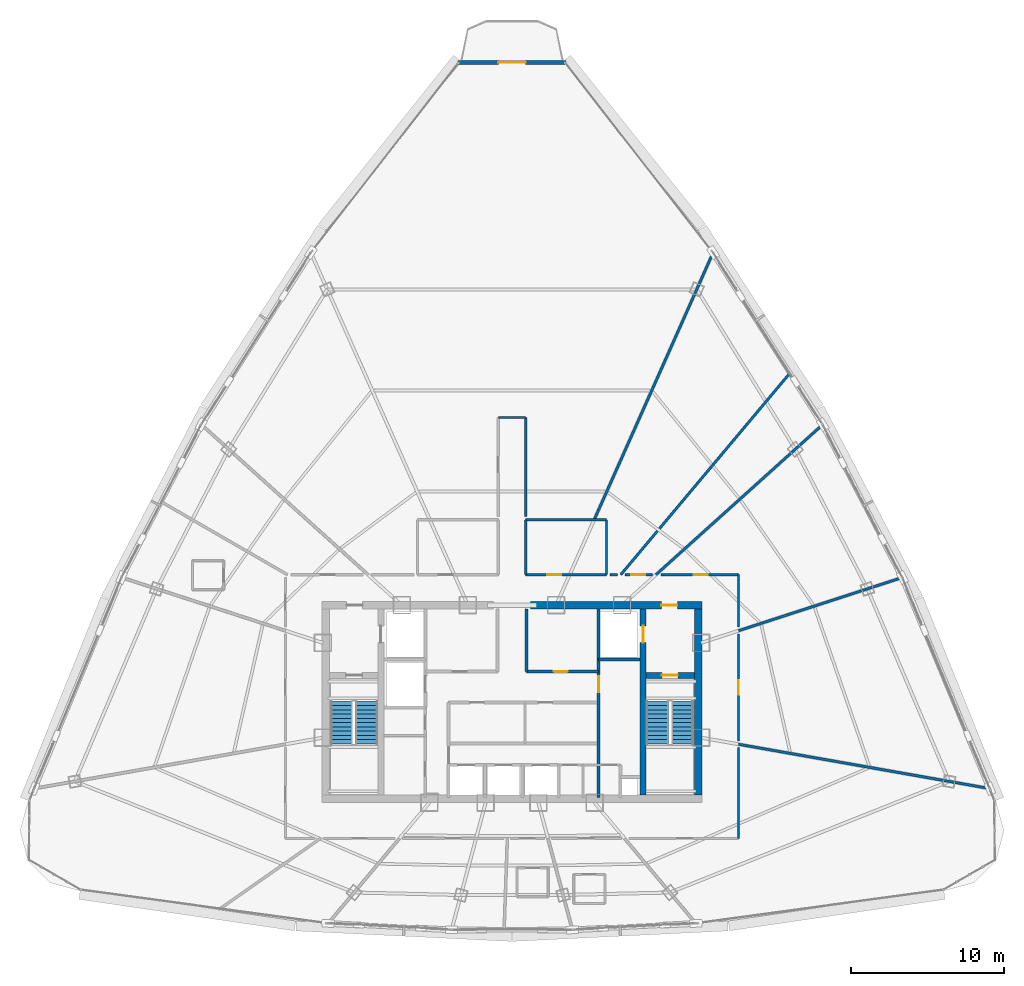
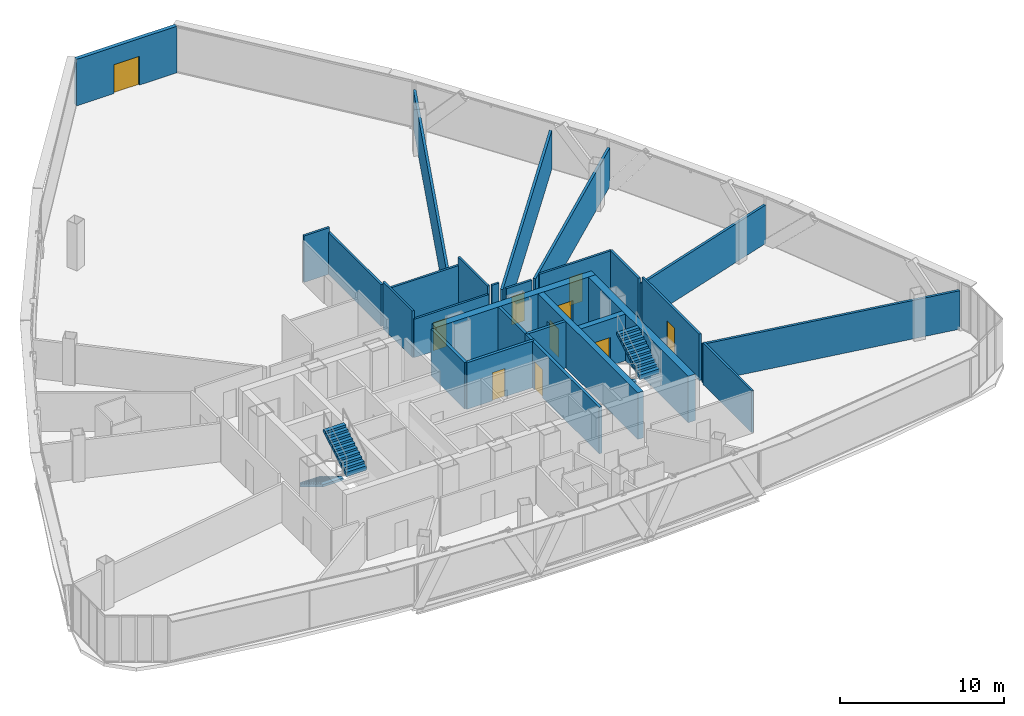
# One storey, part 36 of 40: 27 walls, 10 doors, 4 stair flights, 10 openings, 2 elements without a shape of their own.
"""IFC4 building model written with IfcOpenShell, lengths in metres."""

from ifc_helpers import new_model, si_unit, direction, frame, frame_2d, origin, origin_with_axes, place, context, subcontext, project, spatial, polyline, rectangle, outline, extrude, source, transform, mapped, material, layer, layer_set, type_object, element, fill, aggregate, save


model = new_model("IFC4")

# Units and contexts
model_context = context("Model", 3, precision=1e-05, world=origin(), true_north=direction((0.0, 1.0)))
body_context = subcontext(model_context, "Body", "Model", "MODEL_VIEW")
ifc_project = project(units=[si_unit("LENGTHUNIT", "METRE"), si_unit("AREAUNIT", "SQUARE_METRE"), si_unit("VOLUMEUNIT", "CUBIC_METRE"), si_unit("PLANEANGLEUNIT", "RADIAN"), si_unit("MASSUNIT", "GRAM", prefix="KILO"), si_unit("THERMODYNAMICTEMPERATUREUNIT", "KELVIN"), si_unit("POWERUNIT", "WATT")], contexts=[model_context])

# Site, building, storey
site_placement = place(None, origin())
site = spatial("IfcSite", under=ifc_project, at=site_placement, CompositionType="ELEMENT")
building_placement = place(site_placement, origin())
building = spatial("IfcBuilding", under=site, at=building_placement, Name="Yunzhuo Pagoda Commons", CompositionType="ELEMENT")
storey_placement = place(building_placement, frame((0.0, 0.0, 288.75)))
storey = spatial("IfcBuildingStorey", under=building, at=storey_placement, Name="L72", CompositionType="ELEMENT", Elevation=288.75)

# Wall, opening, door
ifc_material_1 = material(Name="Precast concrete C40", Category="concrete")
ifc_layer_1 = layer(ifc_material_1, 0.260009765625)
ifc_layer_set_1 = layer_set([ifc_layer_1], Name="Precast concrete C40")
wall_type_1 = type_object("IfcWallType", Name="W-BAL1 Corner Balcony Threshold Wall 260", PredefinedType="STANDARD", material=ifc_layer_set_1)
wall_1_placement = place(storey_placement, frame((51.534912109375, 75.790283203125, 0.0), z_axis=(0.0, 0.0, 1.0), x_axis=(-1.0, 0.0, 0.0)))
wall_1 = element("IfcWall", 1, at=wall_1_placement, inside=storey, type_object=wall_type_1, Name="L72 corner balcony wall V3", PredefinedType="STANDARD", context=body_context, shape_type="SweptSolid", body=[
    extrude(rectangle(XDim=7.06982421875, YDim=0.260009765625, at=frame_2d((3.534912109375, 0.0))), origin(), (0.0, 0.0, 1.0), 3.469970703125),
])
opening_1_placement = place(wall_1_placement, frame((2.635009765625, 0.0, 0.0)))
opening_1 = element("IfcOpeningElement", 2, at=opening_1_placement, cuts=wall_1, Name="Opening D-BAL1", PredefinedType="OPENING", context=body_context, shape_type="SweptSolid", body=[
    extrude(rectangle(XDim=1.800048828125, YDim=2.14990234375, at=frame_2d((0.89990234375, 1.074951171875))), frame((0.0, 0.14013671875, 0.0), z_axis=(0.0, -1.0, 0.0), x_axis=(1.0, 0.0, 0.0)), (0.0, 0.0, 1.0), 0.280029296875),
])
ifc_material_2 = material(Name="Anodized aluminium frame and tempered glazed leaf", Category="aluminium")
door_type_1 = type_object("IfcDoorType", Name="D-BAL1 Corner Balcony Sliding Glazed Door 1800x2150", OperationType="DOUBLE_DOOR_SLIDING", PredefinedType="DOOR", material=ifc_material_2)
shared_shape_1 = source(origin(), body_context, "Body", "SweptSolid", [
    extrude(rectangle(XDim=1.800048828125, YDim=2.14990234375, at=frame_2d((0.89990234375, 1.074951171875))), frame((0.0, 0.02490234375, 0.0), z_axis=(0.0, -1.0, 0.0), x_axis=(1.0, 0.0, 0.0)), (0.0, 0.0, 1.0), 0.050048828125),
])
door_1_placement = place(opening_1_placement, origin_with_axes())
door_1 = element("IfcDoor", 3, at=door_1_placement, inside=storey, type_object=door_type_1, Name="L72 corner balcony sliding door V3", OperationType="DOUBLE_DOOR_SLIDING", OverallHeight=2.14990234375, OverallWidth=1.800048828125, PredefinedType="DOOR", context=body_context, shape_type="MappedRepresentation", body=[
    mapped(shared_shape_1, transform((0.0, 0.0, 0.0), scale=1.0)),
])
fill(opening_1, door_1)

ifc_material_3 = material(Name="Concrete C50", Category="concrete")
ifc_layer_2 = layer(ifc_material_3, 0.5)
ifc_layer_set_2 = layer_set([ifc_layer_2], Name="Concrete C50")
wall_type_2 = type_object("IfcWallType", Name="W-C03 Upper Core Shear Wall 500", PredefinedType="SHEAR", material=ifc_layer_set_2)
wall_2_placement = place(storey_placement, frame((49.199951171875, 40.199951171875, 0.0), z_axis=(0.0, 0.0, 1.0), x_axis=(1.0, 0.0, 0.0)))
wall_2 = element("IfcWall", 4, at=wall_2_placement, inside=storey, type_object=wall_type_2, Name="L72 core shear wall NE", PredefinedType="SHEAR", context=body_context, shape_type="SweptSolid", body=[
    extrude(rectangle(XDim=11.25, YDim=0.5, at=frame_2d((5.625, 0.0))), origin(), (0.0, 0.0, 1.0), 3.469970703125),
])
opening_2_placement = place(wall_2_placement, frame((8.60009765625, 0.0, 0.0)))
opening_2 = element("IfcOpeningElement", 5, at=opening_2_placement, cuts=wall_2, Name="Opening D-02", PredefinedType="OPENING", context=body_context, shape_type="SweptSolid", body=[
    extrude(rectangle(XDim=1.050048828125, YDim=2.10009765625, at=frame_2d((0.52490234375, 1.050048828125))), frame((0.0, 0.260009765625, 0.0), z_axis=(0.0, -1.0, 0.0), x_axis=(1.0, 0.0, 0.0)), (0.0, 0.0, 1.0), 0.52001953125),
])
ifc_material_4 = material(Name="Galvanized fire-resisting metal leaf")
door_type_2 = type_object("IfcDoorType", Name="D-02 Firefighting Lobby & Refuge Fire Door 1050x2100", OperationType="NOTDEFINED", PredefinedType="DOOR", material=ifc_material_4)
shared_shape_2 = source(origin(), body_context, "Body", "SweptSolid", [
    extrude(rectangle(XDim=1.050048828125, YDim=2.10009765625, at=frame_2d((0.52490234375, 1.050048828125))), frame((0.0, 0.02490234375, 0.0), z_axis=(0.0, -1.0, 0.0), x_axis=(1.0, 0.0, 0.0)), (0.0, 0.0, 1.0), 0.050048828125),
])
door_2_placement = place(opening_2_placement, frame((1.050048828125, 0.0, 0.0), z_axis=(0.0, 0.0, 1.0), x_axis=(-1.0, 0.0, 0.0)))
door_2 = element("IfcDoor", 6, at=door_2_placement, inside=storey, type_object=door_type_2, Name="L72 Firefighting Lobby 2 fire door", OperationType="SINGLE_SWING_RIGHT", OverallHeight=2.10009765625, OverallWidth=1.050048828125, PredefinedType="DOOR", context=body_context, shape_type="MappedRepresentation", body=[
    mapped(shared_shape_2, transform((0.0, 0.0, 0.0), scale=1.0)),
])
fill(opening_2, door_2)

# Wall
wall_3_placement = place(storey_placement, frame((60.199951171875, 27.75, 0.0), z_axis=(0.0, 0.0, 1.0), x_axis=(0.0, 1.0, 0.0)))
element("IfcWall", 7, at=wall_3_placement, inside=storey, type_object=wall_type_2, Name="L72 core shear wall E", PredefinedType="SHEAR", context=body_context, shape_type="SweptSolid", body=[
    extrude(rectangle(XDim=12.199951171875, YDim=0.5, at=frame_2d((6.10009765625, 0.0))), origin(), (0.0, 0.0, 1.0), 3.469970703125),
])

# Wall, opening, door
ifc_material_5 = material(Name="Gypsum plasterboard on acoustic stud")
ifc_layer_3 = layer(ifc_material_5, 0.14990234375)
ifc_layer_set_3 = layer_set([ifc_layer_3], Name="Gypsum plasterboard on acoustic stud")
wall_type_3 = type_object("IfcWallType", Name="W-COR3 High-Zone Rated Corridor Wall 150", PredefinedType="PARTITIONING", material=ifc_layer_set_3)
wall_4_placement = place(storey_placement, frame((48.89990234375, 42.199951171875, 0.0), z_axis=(0.0, 0.0, 1.0), x_axis=(1.0, 0.0, 0.0)))
wall_4 = element("IfcWall", 8, at=wall_4_placement, inside=storey, type_object=wall_type_3, Name="L72 interior wall IW-L72-TFES", PredefinedType="PARTITIONING", context=body_context, shape_type="SweptSolid", body=[
    extrude(rectangle(XDim=5.300048828125, YDim=0.14990234375, at=frame_2d((2.64990234375, 0.0))), origin(), (0.0, 0.0, 1.0), 2.8701171875),
])
opening_3_placement = place(wall_4_placement, frame((1.39990234375, 0.0, 0.0)))
opening_3 = element("IfcOpeningElement", 9, at=opening_3_placement, cuts=wall_4, Name="Opening D-11", PredefinedType="OPENING", context=body_context, shape_type="SweptSolid", body=[
    extrude(rectangle(XDim=0.93994140625, YDim=2.10009765625, at=frame_2d((0.469970703125, 1.050048828125))), frame((0.0, 0.0849609375, 0.0), z_axis=(0.0, -1.0, 0.0), x_axis=(1.0, 0.0, 0.0)), (0.0, 0.0, 1.0), 0.169921875),
])
door_type_3 = type_object("IfcDoorType", Name="D-11 Accessible Washroom Fire Door 940x2100", OperationType="NOTDEFINED", PredefinedType="DOOR", material=ifc_material_4)
shared_shape_3 = source(origin(), body_context, "Body", "SweptSolid", [
    extrude(rectangle(XDim=0.93994140625, YDim=2.10009765625, at=frame_2d((0.469970703125, 1.050048828125))), frame((0.0, 0.02490234375, 0.0), z_axis=(0.0, -1.0, 0.0), x_axis=(1.0, 0.0, 0.0)), (0.0, 0.0, 1.0), 0.050048828125),
])
door_3_placement = place(opening_3_placement, frame((0.93994140625, 0.0, 0.0), z_axis=(0.0, 0.0, 1.0), x_axis=(-1.0, 0.0, 0.0)))
door_3 = element("IfcDoor", 10, at=door_3_placement, inside=storey, type_object=door_type_3, Name="L72 accessible WC door", OperationType="SINGLE_SWING_RIGHT", OverallHeight=2.10009765625, OverallWidth=0.93994140625, PredefinedType="DOOR", context=body_context, shape_type="MappedRepresentation", body=[
    mapped(shared_shape_3, transform((0.0, 0.0, 0.0), scale=1.0)),
])
fill(opening_3, door_3)

# Walls
wall_5_placement = place(storey_placement, frame((48.89990234375, 45.800048828125, 0.0), z_axis=(0.0, 0.0, 1.0), x_axis=(1.0, 0.0, 0.0)))
element("IfcWall", 11, at=wall_5_placement, inside=storey, type_object=wall_type_3, Name="L72 interior wall IW-L72-TFEN", PredefinedType="PARTITIONING", context=body_context, shape_type="SweptSolid", body=[
    extrude(rectangle(XDim=5.300048828125, YDim=0.14990234375, at=frame_2d((2.64990234375, 0.0))), origin(), (0.0, 0.0, 1.0), 2.8701171875),
])
for number, where, z_axis, x_axis, name in (
    (12, (48.89990234375, 42.199951171875, 0.0), (0.0, 0.0, 1.0), (0.0, 1.0, 0.0), "L72 interior wall IW-L72-TFEW"),
    (13, (54.199951171875, 42.199951171875, 0.0), (0.0, 0.0, 1.0), (0.0, 1.0, 0.0), "L72 interior wall IW-L72-TFEE"),
):
    element("IfcWall", number, at=place(storey_placement, frame(where, z_axis=z_axis, x_axis=x_axis)), inside=storey, type_object=wall_type_3, Name=name, PredefinedType="PARTITIONING", context=body_context, shape_type="SweptSolid", body=[
        extrude(rectangle(XDim=3.60009765625, YDim=0.14990234375, at=frame_2d((1.800048828125, 0.0))), origin(), (0.0, 0.0, 1.0), 3.469970703125),
    ])
wall_6_placement = place(storey_placement, frame((47.10009765625, 52.5, 0.0), z_axis=(0.0, 0.0, 1.0), x_axis=(1.0, 0.0, 0.0)))
element("IfcWall", 14, at=wall_6_placement, inside=storey, type_object=wall_type_3, Name="L72 interior wall IW-L72-CWL07", PredefinedType="PARTITIONING", context=body_context, shape_type="SweptSolid", body=[
    extrude(rectangle(XDim=1.7998046875, YDim=0.14990234375, at=frame_2d((0.89990234375, 0.0))), origin(), (0.0, 0.0, 1.0), 3.469970703125),
])
wall_7_placement = place(storey_placement, frame((48.89990234375, 52.5, 0.0), z_axis=(0.0, 0.0, 1.0), x_axis=(0.0, -1.0, 0.0)))
element("IfcWall", 15, at=wall_7_placement, inside=storey, type_object=wall_type_3, Name="L72 interior wall IW-L72-CWL08", PredefinedType="PARTITIONING", context=body_context, shape_type="SweptSolid", body=[
    extrude(rectangle(XDim=6.47998046875, YDim=0.14990234375, at=frame_2d((3.239990234375, 0.0))), origin(), (0.0, 0.0, 1.0), 3.1201171875),
])
wall_8_placement = place(storey_placement, frame((54.419921875, 42.199951171875, 0.0), z_axis=(0.0, 0.0, 1.0), x_axis=(1.0, 0.0, 0.0)))
element("IfcWall", 16, at=wall_8_placement, inside=storey, type_object=wall_type_3, Name="L72 interior wall IW-L72-CWL09", PredefinedType="PARTITIONING", context=body_context, shape_type="SweptSolid", body=[
    extrude(rectangle(XDim=0.492431640625, YDim=0.14990234375, at=frame_2d((0.24609375, 0.0))), origin(), (0.0, 0.0, 1.0), 3.469970703125),
])

# Wall, opening, door
wall_9_placement = place(storey_placement, frame((55.41943359375, 42.199951171875, 0.0), z_axis=(0.0, 0.0, 1.0), x_axis=(1.0, 0.0, 0.0)))
wall_9 = element("IfcWall", 17, at=wall_9_placement, inside=storey, type_object=wall_type_3, Name="L72 interior wall IW-L72-CWL10", PredefinedType="PARTITIONING", context=body_context, shape_type="SweptSolid", body=[
    extrude(rectangle(XDim=1.801025390625, YDim=0.14990234375, at=frame_2d((0.900390625, 0.0))), origin(), (0.0, 0.0, 1.0), 2.8701171875),
])
opening_4_placement = place(wall_9_placement, frame((0.40673828125, 0.0, 0.0)))
opening_4 = element("IfcOpeningElement", 18, at=opening_4_placement, cuts=wall_9, Name="Opening D-04", PredefinedType="OPENING", context=body_context, shape_type="SweptSolid", body=[
    extrude(rectangle(XDim=0.919921875, YDim=2.10009765625, at=frame_2d((0.4599609375, 1.050048828125))), frame((0.0, 0.0849609375, 0.0), z_axis=(0.0, -1.0, 0.0), x_axis=(1.0, 0.0, 0.0)), (0.0, 0.0, 1.0), 0.169921875),
])
ifc_material_6 = material(Name="Powder-coated aluminium and timber acoustic leaf", Category="wood")
door_type_4 = type_object("IfcDoorType", Name="D-04 Bedroom & Study Interior Door 920x2100", OperationType="NOTDEFINED", PredefinedType="DOOR", material=ifc_material_6)
shared_shape_4 = source(origin(), body_context, "Body", "SweptSolid", [
    extrude(rectangle(XDim=0.919921875, YDim=2.10009765625, at=frame_2d((0.4599609375, 1.050048828125))), frame((0.0, 0.02490234375, 0.0), z_axis=(0.0, -1.0, 0.0), x_axis=(1.0, 0.0, 0.0)), (0.0, 0.0, 1.0), 0.050048828125),
])
door_4_placement = place(opening_4_placement, origin_with_axes())
door_4 = element("IfcDoor", 19, at=door_4_placement, inside=storey, type_object=door_type_4, Name="L72 seminar room 03 door", OperationType="SINGLE_SWING_RIGHT", OverallHeight=2.10009765625, OverallWidth=0.919921875, PredefinedType="DOOR", context=body_context, shape_type="MappedRepresentation", body=[
    mapped(shared_shape_4, transform((0.0, 0.0, 0.0), scale=1.0)),
])
fill(opening_4, door_4)

wall_10_placement = place(storey_placement, frame((57.76904296875, 42.199951171875, 0.0), z_axis=(0.0, 0.0, 1.0), x_axis=(1.0, 0.0, 0.0)))
wall_10 = element("IfcWall", 20, at=wall_10_placement, inside=storey, type_object=wall_type_3, Name="L72 interior wall IW-L72-CWL11", PredefinedType="PARTITIONING", context=body_context, shape_type="SweptSolid", body=[
    extrude(rectangle(XDim=5.0810546875, YDim=0.14990234375, at=frame_2d((2.54052734375, 0.0))), origin(), (0.0, 0.0, 1.0), 3.1201171875),
])
opening_5_placement = place(wall_10_placement, frame((2.14599609375, 0.0, 0.0)))
opening_5 = element("IfcOpeningElement", 21, at=opening_5_placement, cuts=wall_10, Name="Opening D-04", PredefinedType="OPENING", context=body_context, shape_type="SweptSolid", body=[
    extrude(rectangle(XDim=0.919921875, YDim=2.10009765625, at=frame_2d((0.4599609375, 1.050048828125))), frame((0.0, 0.0849609375, 0.0), z_axis=(0.0, -1.0, 0.0), x_axis=(1.0, 0.0, 0.0)), (0.0, 0.0, 1.0), 0.169921875),
])
door_5_placement = place(opening_5_placement, origin_with_axes())
door_5 = element("IfcDoor", 22, at=door_5_placement, inside=storey, type_object=door_type_4, Name="L72 seminar room 02 door", OperationType="SINGLE_SWING_LEFT", OverallHeight=2.10009765625, OverallWidth=0.919921875, PredefinedType="DOOR", context=body_context, shape_type="MappedRepresentation", body=[
    mapped(shared_shape_4, transform((0.0, 0.0, 0.0), scale=1.0)),
])
fill(opening_5, door_5)

# Wall
wall_11_placement = place(storey_placement, frame((62.85009765625, 42.199951171875, 0.0), z_axis=(0.0, 0.0, 1.0), x_axis=(0.0, -1.0, 0.0)))
element("IfcWall", 23, at=wall_11_placement, inside=storey, type_object=wall_type_3, Name="L72 interior wall IW-L72-CWL12", PredefinedType="PARTITIONING", context=body_context, shape_type="SweptSolid", body=[
    extrude(rectangle(XDim=3.443603515625, YDim=0.14990234375, at=frame_2d((1.7216796875, 0.0))), origin(), (0.0, 0.0, 1.0), 3.1201171875),
])

# Wall, opening, door
wall_12_placement = place(storey_placement, frame((62.85009765625, 38.305419921875, 0.0), z_axis=(0.0, 0.0, 1.0), x_axis=(0.0, -1.0, 0.0)))
wall_12 = element("IfcWall", 24, at=wall_12_placement, inside=storey, type_object=wall_type_3, Name="L72 interior wall IW-L72-CWL13", PredefinedType="PARTITIONING", context=body_context, shape_type="SweptSolid", body=[
    extrude(rectangle(XDim=7.004150390625, YDim=0.14990234375, at=frame_2d((3.501953125, 0.0))), origin(), (0.0, 0.0, 1.0), 3.469970703125),
])
opening_6_placement = place(wall_12_placement, frame((3.0419921875, 0.0, 0.0)))
opening_6 = element("IfcOpeningElement", 25, at=opening_6_placement, cuts=wall_12, Name="Opening D-04", PredefinedType="OPENING", context=body_context, shape_type="SweptSolid", body=[
    extrude(rectangle(XDim=0.919921875, YDim=2.10009765625, at=frame_2d((0.4599609375, 1.050048828125))), frame((0.0, 0.0849609375, 0.0), z_axis=(0.0, -1.0, 0.0), x_axis=(1.0, 0.0, 0.0)), (0.0, 0.0, 1.0), 0.169921875),
])
door_6_placement = place(opening_6_placement, origin_with_axes())
door_6 = element("IfcDoor", 26, at=door_6_placement, inside=storey, type_object=door_type_4, Name="L72 seminar room 01 door", OperationType="SINGLE_SWING_RIGHT", OverallHeight=2.10009765625, OverallWidth=0.919921875, PredefinedType="DOOR", context=body_context, shape_type="MappedRepresentation", body=[
    mapped(shared_shape_4, transform((0.0, 0.0, 0.0), scale=1.0)),
])
fill(opening_6, door_6)

# Walls
wall_13_placement = place(storey_placement, frame((62.85009765625, 30.858154296875, 0.0), z_axis=(0.0, 0.0, 1.0), x_axis=(0.0, -1.0, 0.0)))
element("IfcWall", 27, at=wall_13_placement, inside=storey, type_object=wall_type_3, Name="L72 interior wall IW-L72-CWL14", PredefinedType="PARTITIONING", context=body_context, shape_type="SweptSolid", body=[
    extrude(rectangle(XDim=5.958251953125, YDim=0.14990234375, at=frame_2d((2.97900390625, 0.0))), origin(), (0.0, 0.0, 1.0), 3.1201171875),
])
ifc_layer_4 = layer(ifc_material_5, 0.169921875)
ifc_layer_set_4 = layer_set([ifc_layer_4], Name="Gypsum plasterboard on acoustic stud")
wall_type_4 = type_object("IfcWallType", Name="W-PRT4 High-Zone Demising Wall 170", PredefinedType="PARTITIONING", material=ifc_layer_set_4)
wall_14_placement = place(storey_placement, frame((62.85009765625, 38.525146484375, 0.0), z_axis=(0.0, 0.0, 1.0), x_axis=(0.951060099206, 0.309005967092, 0.0)))
element("IfcWall", 28, at=wall_14_placement, inside=storey, type_object=wall_type_4, Name="L72 interior wall IW-L72-RAD01", PredefinedType="PARTITIONING", context=body_context, shape_type="SweptSolid", body=[
    extrude(rectangle(XDim=11.30224609375, YDim=0.169921875, at=frame_2d((5.651123046875, 0.0))), origin(), (0.0, 0.0, 1.0), 2.8701171875),
])
wall_15_placement = place(storey_placement, frame((57.440185546875, 42.199951171875, 0.0), z_axis=(0.0, 0.0, 1.0), x_axis=(0.743145593795, 0.669129753055, 0.0)))
element("IfcWall", 29, at=wall_15_placement, inside=storey, type_object=wall_type_4, Name="L72 interior wall IW-L72-RAD02", PredefinedType="PARTITIONING", context=body_context, shape_type="SweptSolid", body=[
    extrude(rectangle(XDim=14.711181640625, YDim=0.169921875, at=frame_2d((7.35546875, 0.0))), origin(), (0.0, 0.0, 1.0), 2.8701171875),
])
wall_16_placement = place(storey_placement, frame((55.13232421875, 42.199951171875, 0.0), z_axis=(0.0, 0.0, 1.0), x_axis=(0.642779182264, 0.766051514487, 0.0)))
element("IfcWall", 30, at=wall_16_placement, inside=storey, type_object=wall_type_4, Name="L72 interior wall IW-L72-RAD03", PredefinedType="PARTITIONING", context=body_context, shape_type="SweptSolid", body=[
    extrude(rectangle(XDim=17.254150390625, YDim=0.169921875, at=frame_2d((8.626953125, 0.0))), origin(), (0.0, 0.0, 1.0), 2.8701171875),
])
wall_17_placement = place(storey_placement, frame((53.38720703125, 45.800048828125, 0.0), z_axis=(0.0, 0.0, 1.0), x_axis=(0.406740781751, 0.913543614975, 0.0)))
element("IfcWall", 31, at=wall_17_placement, inside=storey, type_object=wall_type_4, Name="L72 interior wall IW-L72-RAD04", PredefinedType="PARTITIONING", context=body_context, shape_type="SweptSolid", body=[
    extrude(rectangle(XDim=19.177490234375, YDim=0.169921875, at=frame_2d((9.5888671875, 0.0))), origin(), (0.0, 0.0, 1.0), 2.8701171875),
])
wall_18_placement = place(storey_placement, frame((62.85009765625, 31.08154296875, 0.0), z_axis=(0.0, 0.0, 1.0), x_axis=(0.984806900178, -0.173653014261, 0.0)))
element("IfcWall", 32, at=wall_18_placement, inside=storey, type_object=wall_type_4, Name="L72 interior wall IW-L72-RAD14", PredefinedType="PARTITIONING", context=body_context, shape_type="SweptSolid", body=[
    extrude(rectangle(XDim=16.73583984375, YDim=0.169921875, at=frame_2d((8.367919921875, 0.0))), origin(), (0.0, 0.0, 1.0), 2.8701171875),
])

# Wall, opening, door
ifc_material_7 = material(Name="Concrete C60", Category="concrete")
ifc_layer_5 = layer(ifc_material_7, 0.39990234375)
ifc_layer_set_5 = layer_set([ifc_layer_5], Name="Concrete C60")
wall_type_5 = type_object("IfcWallType", Name="W-S01 Internal Core Shear Web 400", PredefinedType="SHEAR", material=ifc_layer_set_5)
wall_19_placement = place(storey_placement, frame((56.60009765625, 27.75, 0.0), z_axis=(0.0, 0.0, 1.0), x_axis=(0.0, 1.0, 0.0)))
wall_19 = element("IfcWall", 33, at=wall_19_placement, inside=storey, type_object=wall_type_5, Name="L72 core shear wall WEBE", PredefinedType="SHEAR", context=body_context, shape_type="SweptSolid", body=[
    extrude(rectangle(XDim=12.199951171875, YDim=0.39990234375, at=frame_2d((6.10009765625, 0.0))), origin(), (0.0, 0.0, 1.0), 3.469970703125),
])
opening_7_placement = place(wall_19_placement, frame((10.0, 0.0, 0.0)))
opening_7 = element("IfcOpeningElement", 34, at=opening_7_placement, cuts=wall_19, Name="Opening LD-01", PredefinedType="OPENING", context=body_context, shape_type="SweptSolid", body=[
    extrude(rectangle(XDim=1.10009765625, YDim=2.10009765625, at=frame_2d((0.550048828125, 1.050048828125))), frame((0.0, 0.2099609375, 0.0), z_axis=(0.0, -1.0, 0.0), x_axis=(1.0, 0.0, 0.0)), (0.0, 0.0, 1.0), 0.419921875),
])
door_type_5 = type_object("IfcDoorType", Name="LD-01 Firefighting Lift Landing Door 1100x2100", OperationType="DOUBLE_DOOR_SLIDING", PredefinedType="DOOR", material=ifc_material_4)
shared_shape_5 = source(origin(), body_context, "Body", "SweptSolid", [
    extrude(rectangle(XDim=1.10009765625, YDim=2.10009765625, at=frame_2d((0.550048828125, 1.050048828125))), frame((0.0, 0.02490234375, 0.0), z_axis=(0.0, -1.0, 0.0), x_axis=(1.0, 0.0, 0.0)), (0.0, 0.0, 1.0), 0.050048828125),
])
door_7_placement = place(opening_7_placement, origin_with_axes())
door_7 = element("IfcDoor", 35, at=door_7_placement, inside=storey, type_object=door_type_5, Name="L72 Firefighting lift FL-2 landing door", OperationType="DOUBLE_DOOR_SLIDING", OverallHeight=2.10009765625, OverallWidth=1.10009765625, PredefinedType="DOOR", context=body_context, shape_type="MappedRepresentation", body=[
    mapped(shared_shape_5, transform((0.0, 0.0, 0.0), scale=1.0)),
])
fill(opening_7, door_7)

wall_20_placement = place(storey_placement, frame((56.800048828125, 35.60009765625, 0.0), z_axis=(0.0, 0.0, 1.0), x_axis=(1.0, 0.0, 0.0)))
wall_20 = element("IfcWall", 36, at=wall_20_placement, inside=storey, type_object=wall_type_5, Name="L72 core shear wall STE", PredefinedType="SHEAR", context=body_context, shape_type="SweptSolid", body=[
    extrude(rectangle(XDim=3.14990234375, YDim=0.39990234375, at=frame_2d((1.574951171875, 0.0))), origin(), (0.0, 0.0, 1.0), 3.469970703125),
])
opening_8_placement = place(wall_20_placement, frame((1.02001953125, 0.0, 0.0)))
opening_8 = element("IfcOpeningElement", 37, at=opening_8_placement, cuts=wall_20, Name="Opening D-01", PredefinedType="OPENING", context=body_context, shape_type="SweptSolid", body=[
    extrude(rectangle(XDim=1.050048828125, YDim=2.10009765625, at=frame_2d((0.52490234375, 1.050048828125))), frame((0.0, 0.2099609375, 0.0), z_axis=(0.0, -1.0, 0.0), x_axis=(1.0, 0.0, 0.0)), (0.0, 0.0, 1.0), 0.419921875),
])
door_type_6 = type_object("IfcDoorType", Name="D-01 Smokeproof Stair Fire Door 1050x2100", OperationType="NOTDEFINED", PredefinedType="DOOR", material=ifc_material_4)
door_8_placement = place(opening_8_placement, frame((1.050048828125, 0.0, 0.0), z_axis=(0.0, 0.0, 1.0), x_axis=(-1.0, 0.0, 0.0)))
door_8 = element("IfcDoor", 38, at=door_8_placement, inside=storey, type_object=door_type_6, Name="L72 Stair ST2 fire door", OperationType="SINGLE_SWING_RIGHT", OverallHeight=2.10009765625, OverallWidth=1.050048828125, PredefinedType="DOOR", context=body_context, shape_type="MappedRepresentation", body=[
    mapped(shared_shape_2, transform((0.0, 0.0, 0.0), scale=1.0)),
])
fill(opening_8, door_8)

# Walls
ifc_material_8 = material(Name="Concrete C40", Category="concrete")
ifc_layer_6 = layer(ifc_material_8, 0.199951171875)
ifc_layer_set_6 = layer_set([ifc_layer_6], Name="Concrete C40")
wall_type_6 = type_object("IfcWallType", Name="W-SHF Shaft & Stair Enclosure Wall 200", PredefinedType="SOLIDWALL", material=ifc_layer_set_6)
wall_21_placement = place(storey_placement, frame((53.679931640625, 36.64990234375, 0.0), z_axis=(0.0, 0.0, 1.0), x_axis=(0.0, 1.0, 0.0)))
element("IfcWall", 39, at=wall_21_placement, inside=storey, type_object=wall_type_6, Name="L72 interior wall IW-L72-FL2W", PredefinedType="SOLIDWALL", context=body_context, shape_type="SweptSolid", body=[
    extrude(rectangle(XDim=3.300048828125, YDim=0.199951171875, at=frame_2d((1.64990234375, 0.0))), origin(), (0.0, 0.0, 1.0), 3.469970703125),
])
wall_22_placement = place(storey_placement, frame((53.679931640625, 36.64990234375, 0.0), z_axis=(0.0, 0.0, 1.0), x_axis=(1.0, 0.0, 0.0)))
element("IfcWall", 40, at=wall_22_placement, inside=storey, type_object=wall_type_6, Name="L72 interior wall IW-L72-FL2S", PredefinedType="SOLIDWALL", context=body_context, shape_type="SweptSolid", body=[
    extrude(rectangle(XDim=2.719970703125, YDim=0.199951171875, at=frame_2d((1.35986328125, 0.0))), origin(), (0.0, 0.0, 1.0), 3.469970703125),
])

# Wall, opening, door
wall_23_placement = place(storey_placement, frame((48.949951171875, 35.85009765625, 0.0), z_axis=(0.0, 0.0, 1.0), x_axis=(1.0, 0.0, 0.0)))
wall_23 = element("IfcWall", 41, at=wall_23_placement, inside=storey, type_object=wall_type_6, Name="L72 interior wall IW-L72-LBNE", PredefinedType="SOLIDWALL", context=body_context, shape_type="SweptSolid", body=[
    extrude(rectangle(XDim=4.72998046875, YDim=0.199951171875, at=frame_2d((2.364990234375, 0.0))), origin(), (0.0, 0.0, 1.0), 3.469970703125),
])
opening_9_placement = place(wall_23_placement, frame((1.800048828125, 0.0, 0.0)))
opening_9 = element("IfcOpeningElement", 42, at=opening_9_placement, cuts=wall_23, Name="Opening D-03", PredefinedType="OPENING", context=body_context, shape_type="SweptSolid", body=[
    extrude(rectangle(XDim=0.89990234375, YDim=2.10009765625, at=frame_2d((0.449951171875, 1.050048828125))), frame((0.0, 0.10986328125, 0.0), z_axis=(0.0, -1.0, 0.0), x_axis=(1.0, 0.0, 0.0)), (0.0, 0.0, 1.0), 0.219970703125),
])
door_type_7 = type_object("IfcDoorType", Name="D-03 Core Service Fire Door 900x2100", OperationType="NOTDEFINED", PredefinedType="DOOR", material=ifc_material_4)
shared_shape_6 = source(origin(), body_context, "Body", "SweptSolid", [
    extrude(rectangle(XDim=0.89990234375, YDim=2.10009765625, at=frame_2d((0.449951171875, 1.050048828125))), frame((0.0, 0.02490234375, 0.0), z_axis=(0.0, -1.0, 0.0), x_axis=(1.0, 0.0, 0.0)), (0.0, 0.0, 1.0), 0.050048828125),
])
door_9_placement = place(opening_9_placement, frame((0.89990234375, 0.0, 0.0), z_axis=(0.0, 0.0, 1.0), x_axis=(-1.0, 0.0, 0.0)))
door_9 = element("IfcDoor", 43, at=door_9_placement, inside=storey, type_object=door_type_7, Name="L72 core east store door", OperationType="SINGLE_SWING_RIGHT", OverallHeight=2.10009765625, OverallWidth=0.89990234375, PredefinedType="DOOR", context=body_context, shape_type="MappedRepresentation", body=[
    mapped(shared_shape_6, transform((0.0, 0.0, 0.0), scale=1.0)),
])
fill(opening_9, door_9)

# Wall
wall_24_placement = place(storey_placement, frame((48.949951171875, 35.85009765625, 0.0), z_axis=(0.0, 0.0, 1.0), x_axis=(0.0, 1.0, 0.0)))
element("IfcWall", 44, at=wall_24_placement, inside=storey, type_object=wall_type_6, Name="L72 interior wall IW-L72-THRE", PredefinedType="SOLIDWALL", context=body_context, shape_type="SweptSolid", body=[
    extrude(rectangle(XDim=4.099853515625, YDim=0.199951171875, at=frame_2d((2.0498046875, 0.0))), origin(), (0.0, 0.0, 1.0), 3.469970703125),
])

# Wall, opening, door
wall_25_placement = place(storey_placement, frame((53.679931640625, 27.60009765625, 0.0), z_axis=(0.0, 0.0, 1.0), x_axis=(0.0, 1.0, 0.0)))
wall_25 = element("IfcWall", 45, at=wall_25_placement, inside=storey, type_object=wall_type_6, Name="L72 interior wall IW-L72-PLME", PredefinedType="SOLIDWALL", context=body_context, shape_type="SweptSolid", body=[
    extrude(rectangle(XDim=9.0498046875, YDim=0.199951171875, at=frame_2d((4.52490234375, 0.0))), origin(), (0.0, 0.0, 1.0), 3.469970703125),
])
opening_10_placement = place(wall_25_placement, frame((6.89990234375, 0.0, 0.0)))
opening_10 = element("IfcOpeningElement", 46, at=opening_10_placement, cuts=wall_25, Name="Opening D-02", PredefinedType="OPENING", context=body_context, shape_type="SweptSolid", body=[
    extrude(rectangle(XDim=1.050048828125, YDim=2.10009765625, at=frame_2d((0.52490234375, 1.050048828125))), frame((0.0, 0.10986328125, 0.0), z_axis=(0.0, -1.0, 0.0), x_axis=(1.0, 0.0, 0.0)), (0.0, 0.0, 1.0), 0.219970703125),
])
door_10_placement = place(opening_10_placement, origin_with_axes())
door_10 = element("IfcDoor", 47, at=door_10_placement, inside=storey, type_object=door_type_2, Name="L72 High-bank lift hall door", OperationType="SINGLE_SWING_RIGHT", OverallHeight=2.10009765625, OverallWidth=1.050048828125, PredefinedType="DOOR", context=body_context, shape_type="MappedRepresentation", body=[
    mapped(shared_shape_2, transform((0.0, 0.0, 0.0), scale=1.0)),
])
fill(opening_10, door_10)

# Stair, stair flights
stair_type_1 = type_object("IfcStairType", Name="ST-C1 Core Smokeproof Stair ST1", PredefinedType="HALF_TURN_STAIR", material=ifc_material_8)
stair_1_placement = place(storey_placement, origin())
stair_1 = element("IfcStair", 48, at=stair_1_placement, inside=storey, type_object=stair_type_1, Name="L72 Core smokeproof stair ST1", PredefinedType="HALF_TURN_STAIR")
stair_flight_type_1 = type_object("IfcStairFlightType", Name="STF-C1 Core Stair Flight 1450", PredefinedType="STRAIGHT", material=ifc_material_8)
shared_shape_7 = source(origin(), body_context, "Body", "SweptSolid", [
    extrude(outline(polyline([(0.0, -0.14990234375), (0.0, 0.0), (0.0, 0.16943359375), (0.280029296875, 0.16943359375), (0.280029296875, 0.339111328125), (0.56005859375, 0.339111328125), (0.56005859375, 0.508544921875), (0.840087890625, 0.508544921875), (0.840087890625, 0.67822265625), (1.1201171875, 0.67822265625), (1.1201171875, 0.84765625), (1.39990234375, 0.84765625), (1.39990234375, 1.017333984375), (1.679931640625, 1.017333984375), (1.679931640625, 1.186767578125), (1.9599609375, 1.186767578125), (1.9599609375, 1.3564453125), (2.239990234375, 1.3564453125), (2.239990234375, 1.52587890625), (2.52001953125, 1.52587890625), (2.52001953125, 1.695556640625), (2.800048828125, 1.695556640625), (2.800048828125, 1.864990234375), (2.800048828125, 1.520263671875), (0.289306640625, 0.0), (0.050048828125, -0.14990234375), (0.0, -0.14990234375)])), frame((0.0, 0.72509765625, 0.0), z_axis=(0.0, -1.0, 0.0), x_axis=(1.0, 0.0, 0.0)), (0.0, 0.0, 1.0), 1.449951171875),
])
stair_flight_1_placement = place(storey_placement, frame((36.824951171875, 33.89990234375, 0.0), z_axis=(0.0, 0.0, 1.0), x_axis=(0.0, -1.0, 0.0)))
stair_flight_1 = element("IfcStairFlight", 49, at=stair_flight_1_placement, type_object=stair_flight_type_1, Name="ST1 flight 1", NumberOfRisers=11, NumberOfTreads=10, PredefinedType="STRAIGHT", RiserHeight=0.169545455, TreadLength=0.28, context=body_context, shape_type="MappedRepresentation", body=[
    mapped(shared_shape_7, transform((0.0, 0.0, 0.0), scale=1.0)),
])
stair_flight_2_placement = place(storey_placement, frame((38.47509765625, 31.10009765625, 1.864990234375), z_axis=(0.0, 0.0, 1.0), x_axis=(0.0, 1.0, 0.0)))
stair_flight_2 = element("IfcStairFlight", 50, at=stair_flight_2_placement, type_object=stair_flight_type_1, Name="ST1 flight 2", NumberOfRisers=11, NumberOfTreads=10, PredefinedType="STRAIGHT", RiserHeight=0.169545455, TreadLength=0.28, context=body_context, shape_type="MappedRepresentation", body=[
    mapped(shared_shape_7, transform((0.0, 0.0, 0.0), scale=1.0)),
])
aggregate(stair_1, [stair_flight_1, stair_flight_2])

stair_type_2 = type_object("IfcStairType", Name="ST-C2 Core Smokeproof Stair ST2", PredefinedType="HALF_TURN_STAIR", material=ifc_material_8)
stair_2_placement = place(storey_placement, origin())
stair_2 = element("IfcStair", 51, at=stair_2_placement, inside=storey, type_object=stair_type_2, Name="L72 Core smokeproof stair ST2", PredefinedType="HALF_TURN_STAIR")
stair_flight_type_2 = type_object("IfcStairFlightType", Name="STF-C2 Core Stair Flight 1460", PredefinedType="STRAIGHT", material=ifc_material_8)
stair_flight_3_placement = place(storey_placement, frame((57.52490234375, 33.89990234375, 0.0), z_axis=(0.0, 0.0, 1.0), x_axis=(0.0, -1.0, 0.0)))
stair_flight_3 = element("IfcStairFlight", 52, at=stair_flight_3_placement, type_object=stair_flight_type_2, Name="ST2 flight 1", NumberOfRisers=11, NumberOfTreads=10, PredefinedType="STRAIGHT", RiserHeight=0.169545455, TreadLength=0.28, context=body_context, shape_type="MappedRepresentation", body=[
    mapped(shared_shape_7, transform((0.0, 0.0, 0.0), scale=1.0)),
])
stair_flight_4_placement = place(storey_placement, frame((59.175048828125, 31.10009765625, 1.864990234375), z_axis=(0.0, 0.0, 1.0), x_axis=(0.0, 1.0, 0.0)))
stair_flight_4 = element("IfcStairFlight", 53, at=stair_flight_4_placement, type_object=stair_flight_type_2, Name="ST2 flight 2", NumberOfRisers=11, NumberOfTreads=10, PredefinedType="STRAIGHT", RiserHeight=0.169545455, TreadLength=0.28, context=body_context, shape_type="MappedRepresentation", body=[
    mapped(shared_shape_7, transform((0.0, 0.0, 0.0), scale=1.0)),
])
aggregate(stair_2, [stair_flight_3, stair_flight_4])

save(model, "model.ifc")
